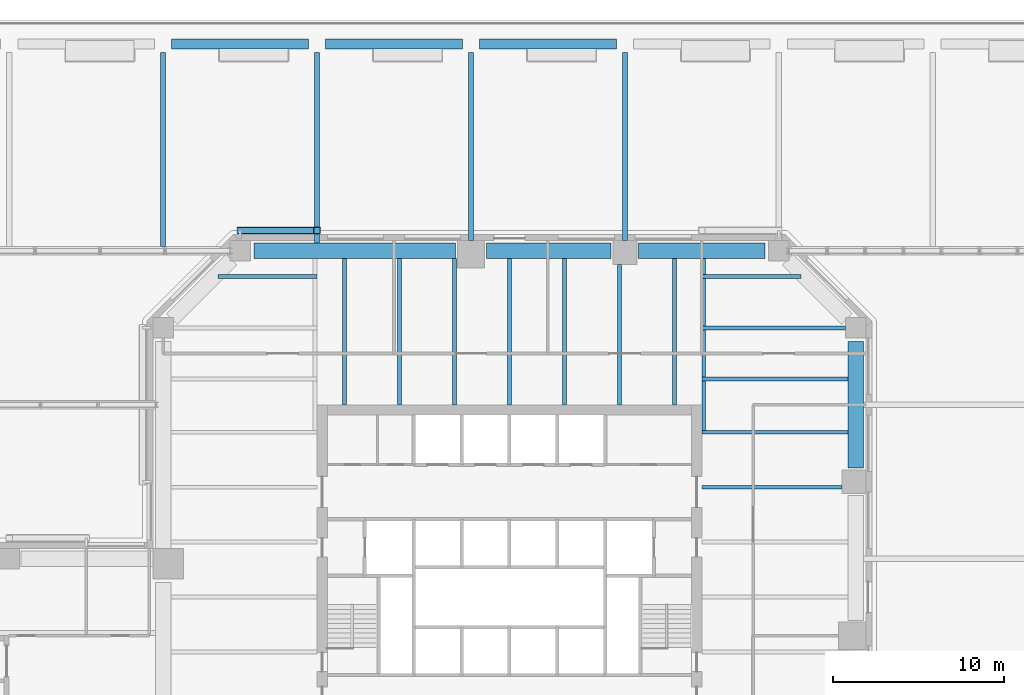
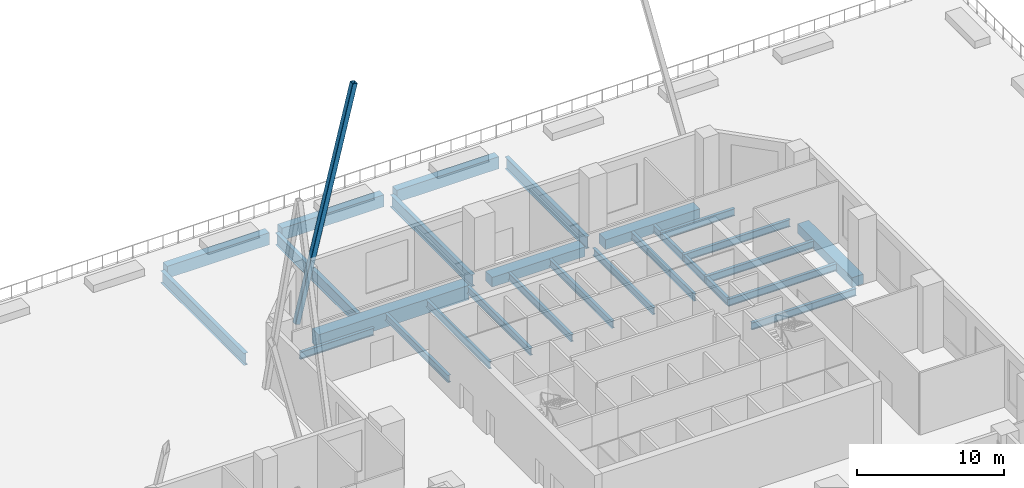
# One storey, part 14 of 33: 25 beams, 1 member.
"""IFC4 building model written with IfcOpenShell, lengths in metres."""

from ifc_helpers import new_model, si_unit, direction, frame, origin, origin_2d, place, context, subcontext, project, spatial, rectangle, hollow_rectangle, i_section, extrude, material, material_profile, profile_set, type_object, element, save


model = new_model("IFC4")

# Units and contexts
model_context = context("Model", 3, precision=1e-05, world=origin(), true_north=direction((0.0, 1.0)))
body_context = subcontext(model_context, "Body", "Model", "MODEL_VIEW")
ifc_project = project(units=[si_unit("LENGTHUNIT", "METRE"), si_unit("AREAUNIT", "SQUARE_METRE"), si_unit("VOLUMEUNIT", "CUBIC_METRE"), si_unit("PLANEANGLEUNIT", "RADIAN"), si_unit("MASSUNIT", "GRAM", prefix="KILO")], contexts=[model_context])

# Site, building, storey
site_placement = place(None, origin())
site = spatial("IfcSite", under=ifc_project, at=site_placement, CompositionType="ELEMENT")
building_placement = place(site_placement, origin())
building = spatial("IfcBuilding", under=site, at=building_placement, Name="Quoin Convention Tower", CompositionType="ELEMENT")
storey_placement = place(building_placement, frame((0.0, 0.0, 8.0)))
storey = spatial("IfcBuildingStorey", under=building, at=storey_placement, Name="L01", CompositionType="ELEMENT", Elevation=8.0)

# Beams
ifc_material_1 = material(Name="Steel Grade 300", Category="steel")
ifc_material_profile_1 = material_profile(ifc_material_1, i_section(OverallWidth=0.300048828125, OverallDepth=1.0, WebThickness=0.01611328125, FlangeThickness=0.02001953125, at=origin_2d()), Name="1000WB215")
ifc_profile_set_1 = profile_set([ifc_material_profile_1], Name="Steel Grade 300")
beam_type_1 = type_object("IfcBeamType", Name="1000WB215", PredefinedType="BEAM", material=ifc_profile_set_1)
beam_1_placement = place(storey_placement, frame((36.0, 81.25, -0.909912109375), z_axis=(0.0, 1.0, 0.0), x_axis=(-1.0, 0.0, 0.0)))
element("IfcBeam", 1, at=beam_1_placement, inside=storey, type_object=beam_type_1, Name="gir-L01-deck-N36000_81250", PredefinedType="BEAM", context=body_context, shape_type="SweptSolid", body=[
    extrude(i_section(OverallWidth=0.300048828125, OverallDepth=1.0, WebThickness=0.01611328125, FlangeThickness=0.02001953125, at=origin_2d()), origin(), (0.0, 0.0, 1.0), 11.35009765625),
])
beam_2_placement = place(storey_placement, frame((45.0, 81.449951171875, -0.909912109375), z_axis=(0.0, 1.0, 0.0), x_axis=(-1.0, 0.0, 0.0)))
element("IfcBeam", 2, at=beam_2_placement, inside=storey, type_object=beam_type_1, Name="gir-L01-deck-N45000_81450", PredefinedType="BEAM", context=body_context, shape_type="SweptSolid", body=[
    extrude(i_section(OverallWidth=0.300048828125, OverallDepth=1.0, WebThickness=0.01611328125, FlangeThickness=0.02001953125, at=origin_2d()), origin(), (0.0, 0.0, 1.0), 11.150146484375),
])
for number, where, z_axis, x_axis, name in (
    (3, (54.0, 81.60009765625, -0.909912109375), (0.0, 1.0, 0.0), (-1.0, 0.0, 0.0), "gir-L01-deck-N54000_81600"),
    (4, (63.0, 81.60009765625, -0.909912109375), (0.0, 1.0, 0.0), (-1.0, 0.0, 0.0), "gir-L01-deck-N63000_81600"),
):
    element("IfcBeam", number, at=place(storey_placement, frame(where, z_axis=z_axis, x_axis=x_axis)), inside=storey, type_object=beam_type_1, Name=name, PredefinedType="BEAM", context=body_context, shape_type="SweptSolid", body=[
        extrude(i_section(OverallWidth=0.300048828125, OverallDepth=1.0, WebThickness=0.01611328125, FlangeThickness=0.02001953125, at=origin_2d()), origin(), (0.0, 0.0, 1.0), 11.0),
    ])
ifc_material_profile_2 = material_profile(ifc_material_1, i_section(OverallWidth=0.22802734375, OverallDepth=0.60205078125, WebThickness=0.010498046875, FlangeThickness=0.014892578125, FilletRadius=0.013916015625, at=origin_2d()), Name="610UB101")
ifc_profile_set_2 = profile_set([ifc_material_profile_2], Name="Steel Grade 300")
beam_type_2 = type_object("IfcBeamType", Name="610UB101", PredefinedType="BEAM", material=ifc_profile_set_2)
beam_3_placement = place(storey_placement, frame((67.5, 67.1787109375, -0.65087890625), z_axis=(1.0, 0.0, 0.0), x_axis=(0.0, 1.0, 0.0)))
element("IfcBeam", 5, at=beam_3_placement, inside=storey, type_object=beam_type_2, Name="bm-L01-T1E5", PredefinedType="BEAM", context=body_context, shape_type="SweptSolid", body=[
    extrude(i_section(OverallWidth=0.22802734375, OverallDepth=0.60205078125, WebThickness=0.010498046875, FlangeThickness=0.014892578125, FilletRadius=0.013916015625, at=origin_2d()), origin(), (0.0, 0.0, 1.0), 8.199951171875),
])
for number, where, z_axis, x_axis, name in (
    (6, (67.5, 70.392822265625, -0.65087890625), (1.0, 0.0, 0.0), (0.0, 1.0, 0.0), "bm-L01-T1E6"),
    (7, (46.607177734375, 72.0, -0.65087890625), (0.0, 1.0, 0.0), (-1.0, 0.0, 0.0), "bm-L01-T1N0"),
    (8, (49.8212890625, 72.0, -0.65087890625), (0.0, 1.0, 0.0), (-1.0, 0.0, 0.0), "bm-L01-T1N1"),
    (9, (53.03564453125, 72.0, -0.65087890625), (0.0, 1.0, 0.0), (-1.0, 0.0, 0.0), "bm-L01-T1N2"),
    (10, (56.25, 72.0, -0.65087890625), (0.0, 1.0, 0.0), (-1.0, 0.0, 0.0), "bm-L01-T1N3"),
    (11, (59.46435546875, 72.0, -0.65087890625), (0.0, 1.0, 0.0), (-1.0, 0.0, 0.0), "bm-L01-T1N4"),
):
    element("IfcBeam", number, at=place(storey_placement, frame(where, z_axis=z_axis, x_axis=x_axis)), inside=storey, type_object=beam_type_2, Name=name, PredefinedType="BEAM", context=body_context, shape_type="SweptSolid", body=[
        extrude(i_section(OverallWidth=0.22802734375, OverallDepth=0.60205078125, WebThickness=0.010498046875, FlangeThickness=0.014892578125, FilletRadius=0.013916015625, at=origin_2d()), origin(), (0.0, 0.0, 1.0), 8.550048828125),
    ])
beam_4_placement = place(storey_placement, frame((62.6787109375, 72.0, -0.65087890625), z_axis=(0.0, 1.0, 0.0), x_axis=(-1.0, 0.0, 0.0)))
element("IfcBeam", 12, at=beam_4_placement, inside=storey, type_object=beam_type_2, Name="bm-L01-T1N5", PredefinedType="BEAM", context=body_context, shape_type="SweptSolid", body=[
    extrude(i_section(OverallWidth=0.22802734375, OverallDepth=0.60205078125, WebThickness=0.010498046875, FlangeThickness=0.014892578125, FilletRadius=0.013916015625, at=origin_2d()), origin(), (0.0, 0.0, 1.0), 8.199951171875),
])
beam_5_placement = place(storey_placement, frame((65.892822265625, 72.0, -0.65087890625), z_axis=(0.0, 1.0, 0.0), x_axis=(-1.0, 0.0, 0.0)))
element("IfcBeam", 13, at=beam_5_placement, inside=storey, type_object=beam_type_2, Name="bm-L01-T1N6", PredefinedType="BEAM", context=body_context, shape_type="SweptSolid", body=[
    extrude(i_section(OverallWidth=0.22802734375, OverallDepth=0.60205078125, WebThickness=0.010498046875, FlangeThickness=0.014892578125, FilletRadius=0.013916015625, at=origin_2d()), origin(), (0.0, 0.0, 1.0), 8.550048828125),
])
for number, where, z_axis, x_axis, name in (
    (14, (39.2041015625, 79.5, -0.65087890625), (1.0, 0.0, 0.0), (0.0, 1.0, 0.0), "bm-L01-T1NW0"),
    (15, (67.5, 79.5, -0.65087890625), (1.0, 0.0, 0.0), (0.0, 1.0, 0.0), "bm-L01-T1NE0"),
):
    element("IfcBeam", number, at=place(storey_placement, frame(where, z_axis=z_axis, x_axis=x_axis)), inside=storey, type_object=beam_type_2, Name=name, PredefinedType="BEAM", context=body_context, shape_type="SweptSolid", body=[
        extrude(i_section(OverallWidth=0.22802734375, OverallDepth=0.60205078125, WebThickness=0.010498046875, FlangeThickness=0.014892578125, FilletRadius=0.013916015625, at=origin_2d()), origin(), (0.0, 0.0, 1.0), 5.7958984375),
    ])
beam_6_placement = place(storey_placement, frame((67.5, 76.5, -0.65087890625), z_axis=(1.0, 0.0, 0.0), x_axis=(0.0, 1.0, 0.0)))
element("IfcBeam", 16, at=beam_6_placement, inside=storey, type_object=beam_type_2, Name="bm-L01-T1NE1", PredefinedType="BEAM", context=body_context, shape_type="SweptSolid", body=[
    extrude(i_section(OverallWidth=0.22802734375, OverallDepth=0.60205078125, WebThickness=0.010498046875, FlangeThickness=0.014892578125, FilletRadius=0.013916015625, at=origin_2d()), origin(), (0.0, 0.0, 1.0), 8.39990234375),
])
beam_7_placement = place(storey_placement, frame((67.5, 73.5, -0.65087890625), z_axis=(1.0, 0.0, 0.0), x_axis=(0.0, 1.0, 0.0)))
element("IfcBeam", 17, at=beam_7_placement, inside=storey, type_object=beam_type_2, Name="bm-L01-T1NE2", PredefinedType="BEAM", context=body_context, shape_type="SweptSolid", body=[
    extrude(i_section(OverallWidth=0.22802734375, OverallDepth=0.60205078125, WebThickness=0.010498046875, FlangeThickness=0.014892578125, FilletRadius=0.013916015625, at=origin_2d()), origin(), (0.0, 0.0, 1.0), 8.550048828125),
])
ifc_material_profile_3 = material_profile(ifc_material_1, i_section(OverallWidth=0.22900390625, OverallDepth=0.612060546875, WebThickness=0.011962890625, FlangeThickness=0.01953125, FilletRadius=0.013916015625, at=origin_2d()), Name="610UB125")
ifc_profile_set_3 = profile_set([ifc_material_profile_3], Name="Steel Grade 300")
beam_type_3 = type_object("IfcBeamType", Name="610UB125", PredefinedType="BEAM", material=ifc_profile_set_3)
beam_8_placement = place(storey_placement, frame((67.614501953125, 80.550048828125, -0.656005859375), z_axis=(0.0, -1.0, 0.0), x_axis=(1.0, 0.0, 0.0)))
element("IfcBeam", 18, at=beam_8_placement, inside=storey, type_object=beam_type_3, Name="gir-L01-T1NE", PredefinedType="BEAM", context=body_context, shape_type="SweptSolid", body=[
    extrude(i_section(OverallWidth=0.22900390625, OverallDepth=0.612060546875, WebThickness=0.011962890625, FlangeThickness=0.01953125, FilletRadius=0.013916015625, at=origin_2d()), origin(), (0.0, 0.0, 1.0), 10.043212890625),
])

# Member
ifc_material_2 = material(Name="Steel C450L0", Category="steel")
ifc_material_profile_4 = material_profile(ifc_material_2, hollow_rectangle(XDim=0.39990234375, YDim=0.39990234375, WallThickness=0.01611328125, InnerFilletRadius=0.02392578125, OuterFilletRadius=0.0400390625, at=origin_2d()), Name="400x400x16.0SHS")
ifc_profile_set_4 = profile_set([ifc_material_profile_4], Name="Steel C450L0")
member_type = type_object("IfcMemberType", Name="Exposed brace 400x400x16.0SHS", PredefinedType="BRACE", material=ifc_profile_set_4)
member_placement = place(storey_placement, frame((40.5, 82.199951171875, -0.074951171875), z_axis=(0.237564979371, 0.0, 0.971371649049), x_axis=(0.0, 1.0, 0.0)))
element("IfcMember", 19, at=member_placement, inside=storey, type_object=member_type, Name="brc-L01-45000_81000-40500_81000", PredefinedType="BRACE", context=body_context, shape_type="SweptSolid", body=[
    extrude(hollow_rectangle(XDim=0.39990234375, YDim=0.39990234375, WallThickness=0.01611328125, InnerFilletRadius=0.02392578125, OuterFilletRadius=0.0400390625, at=origin_2d()), origin(), (0.0, 0.0, 1.0), 18.942138671875),
])

# Beams
ifc_material_3 = material(Name="Concrete C100 (100 MPa)", Category="concrete")
ifc_material_profile_5 = material_profile(ifc_material_3, rectangle(XDim=0.60009765625, YDim=1.0, at=origin_2d()), Name="RC 600x1000")
ifc_profile_set_5 = profile_set([ifc_material_profile_5], Name="Concrete C100 (100 MPa)")
beam_type_4 = type_object("IfcBeamType", Name="RC 600x1000 C100", PredefinedType="SPANDREL", material=ifc_profile_set_5)
for number, where, z_axis, x_axis, name in (
    (20, (36.5, 93.10009765625, -0.909912109375), (1.0, 0.0, 0.0), (0.0, 1.0, 0.0), "spd-L01-edge-36000_93100-45000_93100"),
    (21, (45.5, 93.10009765625, -0.909912109375), (1.0, 0.0, 0.0), (0.0, 1.0, 0.0), "spd-L01-edge-45000_93100-54000_93100"),
    (22, (54.5, 93.10009765625, -0.909912109375), (1.0, 0.0, 0.0), (0.0, 1.0, 0.0), "spd-L01-edge-54000_93100-63000_93100"),
):
    element("IfcBeam", number, at=place(storey_placement, frame(where, z_axis=z_axis, x_axis=x_axis)), inside=storey, type_object=beam_type_4, Name=name, PredefinedType="SPANDREL", context=body_context, shape_type="SweptSolid", body=[
        extrude(rectangle(XDim=0.60009765625, YDim=1.0, at=origin_2d()), origin(), (0.0, 0.0, 1.0), 8.0),
    ])
ifc_material_profile_6 = material_profile(ifc_material_3, rectangle(XDim=0.89990234375, YDim=1.199951171875, at=origin_2d()), Name="RC 900x1200")
ifc_profile_set_6 = profile_set([ifc_material_profile_6], Name="Concrete C100 (100 MPa)")
beam_type_5 = type_object("IfcBeamType", Name="RC 900x1200 C100", PredefinedType="SPANDREL", material=ifc_profile_set_6)
beam_9_placement = place(storey_placement, frame((53.10009765625, 81.0, -0.949951171875), z_axis=(-1.0, 0.0, 0.0), x_axis=(0.0, -1.0, 0.0)))
element("IfcBeam", 23, at=beam_9_placement, inside=storey, type_object=beam_type_5, Name="spd-L01-54000_81000-40500_81000", PredefinedType="SPANDREL", context=body_context, shape_type="SweptSolid", body=[
    extrude(rectangle(XDim=0.89990234375, YDim=1.199951171875, at=origin_2d()), origin(), (0.0, 0.0, 1.0), 11.800048828125),
])
ifc_material_profile_7 = material_profile(ifc_material_3, rectangle(XDim=0.89990234375, YDim=0.800048828125, at=origin_2d()), Name="RC 900x800")
ifc_profile_set_7 = profile_set([ifc_material_profile_7], Name="Concrete C100 (100 MPa)")
beam_type_6 = type_object("IfcBeamType", Name="RC 900x800 C100", PredefinedType="SPANDREL", material=ifc_profile_set_7)
for number, where, z_axis, x_axis, name in (
    (24, (76.5, 68.300048828125, -0.75), (0.0, 1.0, 0.0), (-1.0, 0.0, 0.0), "spd-L01-76500_67500-76500_76500"),
    (25, (71.199951171875, 81.0, -0.75), (-1.0, 0.0, 0.0), (0.0, -1.0, 0.0), "spd-L01-72000_81000-63000_81000"),
):
    element("IfcBeam", number, at=place(storey_placement, frame(where, z_axis=z_axis, x_axis=x_axis)), inside=storey, type_object=beam_type_6, Name=name, PredefinedType="SPANDREL", context=body_context, shape_type="SweptSolid", body=[
        extrude(rectangle(XDim=0.89990234375, YDim=0.800048828125, at=origin_2d()), origin(), (0.0, 0.0, 1.0), 7.39990234375),
    ])
beam_10_placement = place(storey_placement, frame((62.199951171875, 81.0, -0.75), z_axis=(-1.0, 0.0, 0.0), x_axis=(0.0, -1.0, 0.0)))
element("IfcBeam", 26, at=beam_10_placement, inside=storey, type_object=beam_type_6, Name="spd-L01-63000_81000-54000_81000", PredefinedType="SPANDREL", context=body_context, shape_type="SweptSolid", body=[
    extrude(rectangle(XDim=0.89990234375, YDim=0.800048828125, at=origin_2d()), origin(), (0.0, 0.0, 1.0), 7.300048828125),
])

save(model, "model.ifc")
